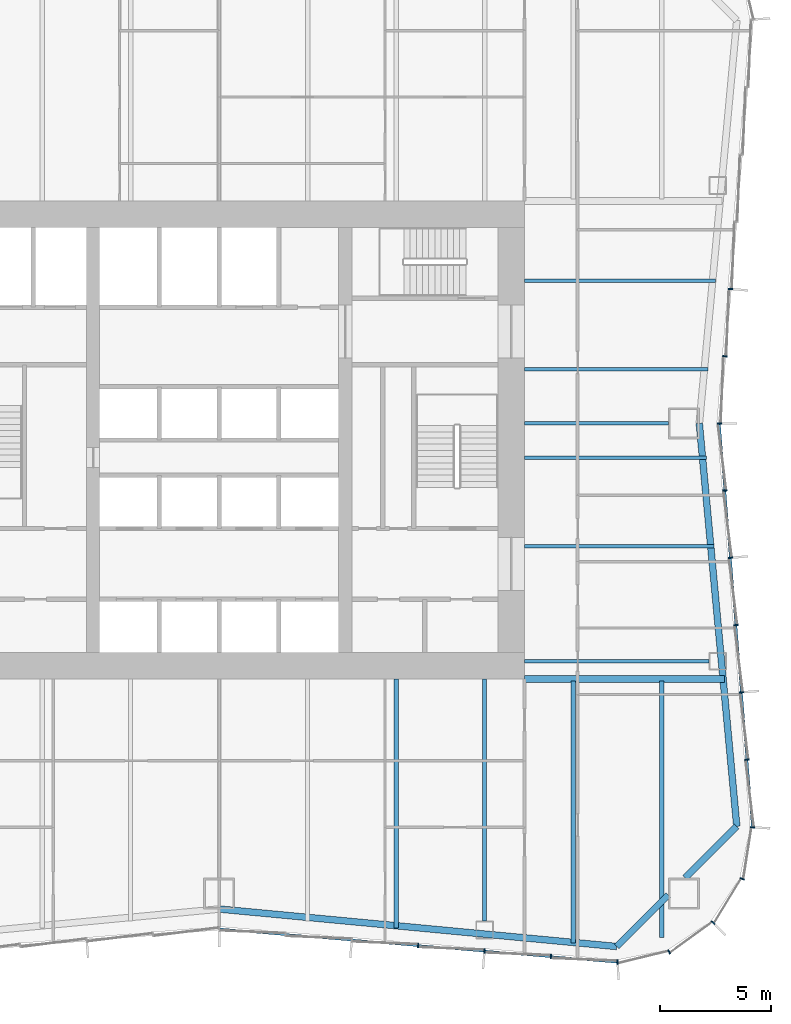
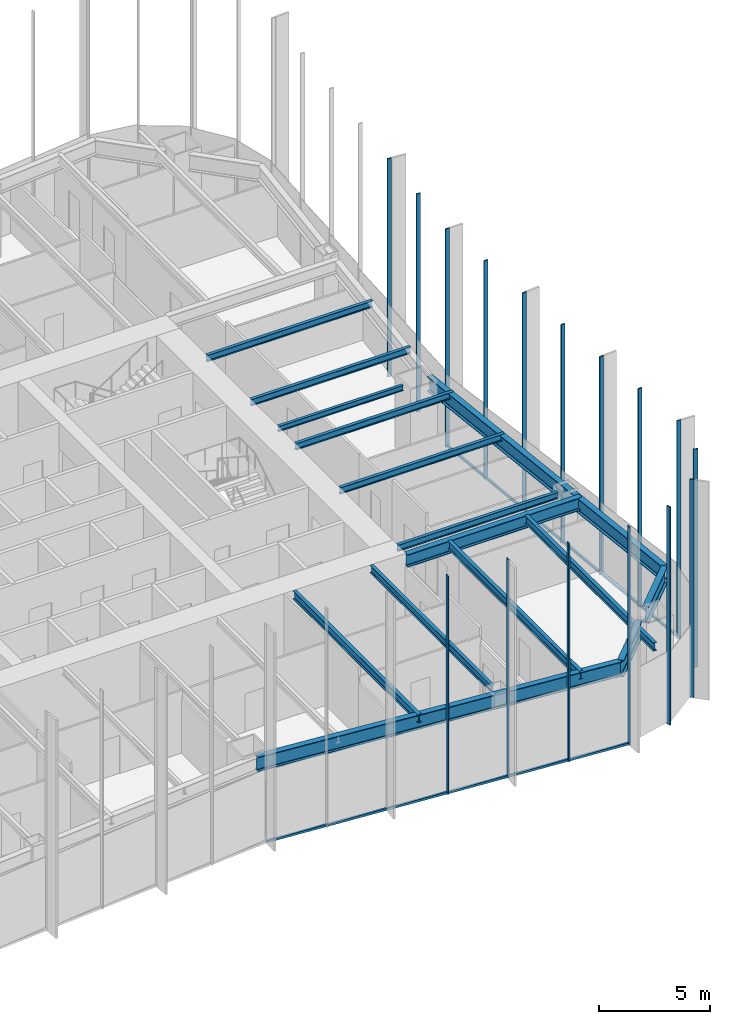
# One storey, part 4 of 13: 18 members, 15 beams, 3 elements without a shape of their own.
"""IFC4 building model written with IfcOpenShell, lengths in metres."""

from ifc_helpers import new_model, si_unit, direction, frame, origin, origin_2d, place, context, subcontext, project, spatial, rectangle, i_section, extrude, material, material_profile, profile_set, type_object, element, aggregate, save


model = new_model("IFC4")

# Units and contexts
model_context = context("Model", 3, precision=1e-05, world=origin(), true_north=direction((0.0, 1.0)))
body_context = subcontext(model_context, "Body", "Model", "MODEL_VIEW")
ifc_project = project(units=[si_unit("LENGTHUNIT", "METRE"), si_unit("AREAUNIT", "SQUARE_METRE"), si_unit("VOLUMEUNIT", "CUBIC_METRE"), si_unit("PLANEANGLEUNIT", "RADIAN"), si_unit("MASSUNIT", "GRAM", prefix="KILO")], contexts=[model_context])

# Site, building, storey
site_placement = place(None, origin())
site = spatial("IfcSite", under=ifc_project, at=site_placement, CompositionType="ELEMENT")
building_placement = place(site_placement, origin())
building = spatial("IfcBuilding", under=site, at=building_placement, Name="Verdant Reach Tower", CompositionType="ELEMENT")
storey_placement = place(building_placement, frame((0.0, 0.0, 70.0)))
storey = spatial("IfcBuildingStorey", under=building, at=storey_placement, Name="L15", CompositionType="ELEMENT", Elevation=70.0)

# Curtain wall, members
ifc_material_1 = material(Name="Anodised aluminium", Category="aluminium")
curtain_wall_type = type_object("IfcCurtainWallType", Name="EN-CW SYSTEM Z1", PredefinedType="NOTDEFINED", material=ifc_material_1)
curtain_wall_1_placement = place(storey_placement, origin())
curtain_wall_1 = element("IfcCurtainWall", 1, at=curtain_wall_1_placement, inside=storey, type_object=curtain_wall_type, Name="Curtain wall south-east corner, L15", PredefinedType="NOTDEFINED")
ifc_material_profile_1 = material_profile(ifc_material_1, rectangle(XDim=0.2060546875, YDim=0.06201171875, at=origin_2d()), Name="Mullion 62x206")
ifc_profile_set_1 = profile_set([ifc_material_profile_1], Name="Anodised aluminium")
member_type_1 = type_object("IfcMemberType", Name="EN-MULLION Z1", PredefinedType="MULLION", material=ifc_profile_set_1)
member_1_placement = place(storey_placement, frame((18.005859375, 4.397216796875, -0.35009765625), z_axis=(0.0, 0.0, 1.0), x_axis=(0.056569187765, -0.998398681387, 0.0)))
member_1 = element("IfcMember", 2, at=member_1_placement, type_object=member_type_1, Name="Mullion south-east corner 1, L15", PredefinedType="MULLION", context=body_context, shape_type="SweptSolid", body=[
    extrude(rectangle(XDim=0.2060546875, YDim=0.06201171875, at=origin_2d()), origin(), (0.0, 0.0, 1.0), 12.0),
])
member_2_placement = place(storey_placement, frame((20.33544921875, 4.861572265625, -0.35009765625), z_axis=(0.0, 0.0, 1.0), x_axis=(0.382693853776, -0.923875215753, 0.0)))
member_2 = element("IfcMember", 3, at=member_2_placement, type_object=member_type_1, Name="Mullion south-east corner 2, L15", PredefinedType="MULLION", context=body_context, shape_type="SweptSolid", body=[
    extrude(rectangle(XDim=0.2060546875, YDim=0.06201171875, at=origin_2d()), origin(), (0.0, 0.0, 1.0), 12.0),
])
member_3_placement = place(storey_placement, frame((22.3154296875, 6.1845703125, -0.35009765625), z_axis=(0.0, 0.0, 1.0), x_axis=(0.707106781187, -0.707106781187, 0.0)))
member_3 = element("IfcMember", 4, at=member_3_placement, type_object=member_type_1, Name="Mullion south-east corner 3, L15", PredefinedType="MULLION", context=body_context, shape_type="SweptSolid", body=[
    extrude(rectangle(XDim=0.2060546875, YDim=0.06201171875, at=origin_2d()), origin(), (0.0, 0.0, 1.0), 12.0),
])
member_4_placement = place(storey_placement, frame((23.638427734375, 8.16455078125, -0.35009765625), z_axis=(0.0, 0.0, 1.0), x_axis=(0.923875215753, -0.382693853776, 0.0)))
member_4 = element("IfcMember", 5, at=member_4_placement, type_object=member_type_1, Name="Mullion south-east corner 4, L15", PredefinedType="MULLION", context=body_context, shape_type="SweptSolid", body=[
    extrude(rectangle(XDim=0.2060546875, YDim=0.06201171875, at=origin_2d()), origin(), (0.0, 0.0, 1.0), 12.0),
])
aggregate(curtain_wall_1, [member_1, member_2, member_3, member_4])

curtain_wall_2_placement = place(storey_placement, origin())
curtain_wall_2 = element("IfcCurtainWall", 6, at=curtain_wall_2_placement, inside=storey, type_object=curtain_wall_type, Name="Curtain wall east, L15", PredefinedType="NOTDEFINED")
member_5_placement = place(storey_placement, frame((24.102783203125, 10.494140625, -0.35009765625), z_axis=(0.0, 0.0, 1.0), x_axis=(0.998366452275, -0.057135164055, 0.0)))
member_5 = element("IfcMember", 7, at=member_5_placement, type_object=member_type_1, Name="Mullion east face part 1 1, L15", PredefinedType="MULLION", context=body_context, shape_type="SweptSolid", body=[
    extrude(rectangle(XDim=0.2060546875, YDim=0.06201171875, at=origin_2d()), origin(), (0.0, 0.0, 1.0), 12.0),
])
member_6_placement = place(storey_placement, frame((23.8525390625, 13.550048828125, -0.35009765625), z_axis=(0.0, 0.0, 1.0), x_axis=(0.996639273542, 0.081915556724, 0.0)))
member_6 = element("IfcMember", 8, at=member_6_placement, type_object=member_type_1, Name="Mullion east face part 1 2, L15", PredefinedType="MULLION", context=body_context, shape_type="SweptSolid", body=[
    extrude(rectangle(XDim=0.2060546875, YDim=0.06201171875, at=origin_2d()), origin(), (0.0, 0.0, 1.0), 12.0),
])
member_7_placement = place(storey_placement, frame((23.6025390625, 16.591796875, -0.35009765625), z_axis=(0.0, 0.0, 1.0), x_axis=(0.996639273542, 0.081915556724, 0.0)))
member_7 = element("IfcMember", 9, at=member_7_placement, type_object=member_type_1, Name="Mullion east face part 1 3, L15", PredefinedType="MULLION", context=body_context, shape_type="SweptSolid", body=[
    extrude(rectangle(XDim=0.2060546875, YDim=0.06201171875, at=origin_2d()), origin(), (0.0, 0.0, 1.0), 12.0),
])
member_8_placement = place(storey_placement, frame((23.3525390625, 19.633544921875, -0.35009765625), z_axis=(0.0, 0.0, 1.0), x_axis=(0.996639273542, 0.081915556724, 0.0)))
member_8 = element("IfcMember", 10, at=member_8_placement, type_object=member_type_1, Name="Mullion east face part 1 4, L15", PredefinedType="MULLION", context=body_context, shape_type="SweptSolid", body=[
    extrude(rectangle(XDim=0.2060546875, YDim=0.06201171875, at=origin_2d()), origin(), (0.0, 0.0, 1.0), 12.0),
])
member_9_placement = place(storey_placement, frame((23.1025390625, 22.675048828125, -0.35009765625), z_axis=(0.0, 0.0, 1.0), x_axis=(0.996639273542, 0.081915556724, 0.0)))
member_9 = element("IfcMember", 11, at=member_9_placement, type_object=member_type_1, Name="Mullion east face part 1 5, L15", PredefinedType="MULLION", context=body_context, shape_type="SweptSolid", body=[
    extrude(rectangle(XDim=0.2060546875, YDim=0.06201171875, at=origin_2d()), origin(), (0.0, 0.0, 1.0), 12.0),
])
member_10_placement = place(storey_placement, frame((22.8525390625, 25.716796875, -0.35009765625), z_axis=(0.0, 0.0, 1.0), x_axis=(0.996639273542, 0.081915556724, 0.0)))
member_10 = element("IfcMember", 12, at=member_10_placement, type_object=member_type_1, Name="Mullion east face part 1 6, L15", PredefinedType="MULLION", context=body_context, shape_type="SweptSolid", body=[
    extrude(rectangle(XDim=0.2060546875, YDim=0.06201171875, at=origin_2d()), origin(), (0.0, 0.0, 1.0), 12.0),
])
member_11_placement = place(storey_placement, frame((22.60302734375, 28.75, -0.35009765625), z_axis=(0.0, 0.0, 1.0), x_axis=(1.0, 0.0, 0.0)))
member_11 = element("IfcMember", 13, at=member_11_placement, type_object=member_type_1, Name="Mullion east face part 2 1, L15", PredefinedType="MULLION", context=body_context, shape_type="SweptSolid", body=[
    extrude(rectangle(XDim=0.2060546875, YDim=0.06201171875, at=origin_2d()), origin(), (0.0, 0.0, 1.0), 12.0),
])
member_12_placement = place(storey_placement, frame((22.8525390625, 31.783203125, -0.35009765625), z_axis=(0.0, 0.0, 1.0), x_axis=(0.996639273542, -0.081915556724, 0.0)))
member_12 = element("IfcMember", 14, at=member_12_placement, type_object=member_type_1, Name="Mullion east face part 2 2, L15", PredefinedType="MULLION", context=body_context, shape_type="SweptSolid", body=[
    extrude(rectangle(XDim=0.2060546875, YDim=0.06201171875, at=origin_2d()), origin(), (0.0, 0.0, 1.0), 12.0),
])
member_13_placement = place(storey_placement, frame((23.1025390625, 34.824951171875, -0.35009765625), z_axis=(0.0, 0.0, 1.0), x_axis=(0.996639273542, -0.081915556724, 0.0)))
member_13 = element("IfcMember", 15, at=member_13_placement, type_object=member_type_1, Name="Mullion east face part 2 3, L15", PredefinedType="MULLION", context=body_context, shape_type="SweptSolid", body=[
    extrude(rectangle(XDim=0.2060546875, YDim=0.06201171875, at=origin_2d()), origin(), (0.0, 0.0, 1.0), 12.0),
])

curtain_wall_3_placement = place(storey_placement, origin())
curtain_wall_3 = element("IfcCurtainWall", 16, at=curtain_wall_3_placement, inside=storey, type_object=curtain_wall_type, Name="Curtain wall south, L15", PredefinedType="NOTDEFINED")
member_14_placement = place(storey_placement, frame((8.991455078125, 5.1474609375, -0.35009765625), z_axis=(0.0, 0.0, 1.0), x_axis=(-0.083045479859, -0.996545758244, 0.0)))
member_14 = element("IfcMember", 17, at=member_14_placement, type_object=member_type_1, Name="Mullion south face part 2 4, L15", PredefinedType="MULLION", context=body_context, shape_type="SweptSolid", body=[
    extrude(rectangle(XDim=0.2060546875, YDim=0.06201171875, at=origin_2d()), origin(), (0.0, 0.0, 1.0), 12.0),
])
member_15_placement = place(storey_placement, frame((11.991455078125, 4.8974609375, -0.35009765625), z_axis=(0.0, 0.0, 1.0), x_axis=(-0.083045479859, -0.996545758244, 0.0)))
member_15 = element("IfcMember", 18, at=member_15_placement, type_object=member_type_1, Name="Mullion south face part 2 5, L15", PredefinedType="MULLION", context=body_context, shape_type="SweptSolid", body=[
    extrude(rectangle(XDim=0.2060546875, YDim=0.06201171875, at=origin_2d()), origin(), (0.0, 0.0, 1.0), 12.0),
])
member_16_placement = place(storey_placement, frame((14.991455078125, 4.6474609375, -0.35009765625), z_axis=(0.0, 0.0, 1.0), x_axis=(-0.083045479859, -0.996545758244, 0.0)))
member_16 = element("IfcMember", 19, at=member_16_placement, type_object=member_type_1, Name="Mullion south face part 2 6, L15", PredefinedType="MULLION", context=body_context, shape_type="SweptSolid", body=[
    extrude(rectangle(XDim=0.2060546875, YDim=0.06201171875, at=origin_2d()), origin(), (0.0, 0.0, 1.0), 12.0),
])

# Member
ifc_material_profile_2 = material_profile(ifc_material_1, rectangle(XDim=0.10009765625, YDim=0.1220703125, at=origin_2d()), Name="Transom 122x100")
ifc_profile_set_2 = profile_set([ifc_material_profile_2], Name="Anodised aluminium")
member_type_2 = type_object("IfcMemberType", Name="EN-TRANSOM Z1", PredefinedType="USERDEFINED", material=ifc_profile_set_2)
member_17_placement = place(storey_placement, frame((24.100341796875, 10.52490234375, -0.2890625), z_axis=(-0.081886623329, 0.996641651207, 0.0), x_axis=(-0.996641651207, -0.081886623329, 0.0)))
member_17 = element("IfcMember", 20, at=member_17_placement, type_object=member_type_2, Name="Transom east face part 1 1.1, L15", ObjectType="TRANSOM", PredefinedType="USERDEFINED", context=body_context, shape_type="SweptSolid", body=[
    extrude(rectangle(XDim=0.10009765625, YDim=0.1220703125, at=origin_2d()), origin(), (0.0, 0.0, 1.0), 18.25537109375),
])

aggregate(curtain_wall_2, [member_5, member_6, member_7, member_8, member_9, member_10, member_17, member_11, member_12, member_13])

member_18_placement = place(storey_placement, frame((0.031005859375, 5.89453125, -0.2890625), z_axis=(0.996547815143, -0.083020793384, 0.0), x_axis=(0.083020793384, 0.996547815143, 0.0)))
member_18 = element("IfcMember", 21, at=member_18_placement, type_object=member_type_2, Name="Transom south face part 2 1.1, L15", ObjectType="TRANSOM", PredefinedType="USERDEFINED", context=body_context, shape_type="SweptSolid", body=[
    extrude(rectangle(XDim=0.10009765625, YDim=0.1220703125, at=origin_2d()), origin(), (0.0, 0.0, 1.0), 18.006103515625),
])

aggregate(curtain_wall_3, [member_14, member_15, member_16, member_18])

# Beams
ifc_material_2 = material(Name="Steel S355", Category="steel")
ifc_material_profile_3 = material_profile(ifc_material_2, i_section(OverallWidth=0.300048828125, OverallDepth=0.699951171875, WebThickness=0.01708984375, FlangeThickness=0.031982421875, FilletRadius=0.027099609375, at=origin_2d()), Name="HEB 700")
ifc_profile_set_3 = profile_set([ifc_material_profile_3], Name="Steel S355")
beam_type_1 = type_object("IfcBeamType", Name="ST-BEAM-HEB700", PredefinedType="BEAM", material=ifc_profile_set_3)
beam_1_placement = place(storey_placement, frame((13.800048828125, 17.199951171875, 3.52001953125), z_axis=(1.0, 0.0, 0.0), x_axis=(0.0, 1.0, 0.0)))
element("IfcBeam", 22, at=beam_1_placement, inside=storey, type_object=beam_type_1, Name="Trimmer beam, L15", PredefinedType="BEAM", context=body_context, shape_type="SweptSolid", body=[
    extrude(i_section(OverallWidth=0.300048828125, OverallDepth=0.699951171875, WebThickness=0.01708984375, FlangeThickness=0.031982421875, FilletRadius=0.027099609375, at=origin_2d()), origin(), (0.0, 0.0, 1.0), 9.04736328125),
])
ifc_material_profile_4 = material_profile(ifc_material_2, i_section(OverallWidth=0.14990234375, OverallDepth=0.300048828125, WebThickness=0.007080078125, FlangeThickness=0.0107421875, FilletRadius=0.014892578125, at=origin_2d()), Name="IPE 300")
ifc_profile_set_4 = profile_set([ifc_material_profile_4], Name="Steel S355")
beam_type_2 = type_object("IfcBeamType", Name="ST-JOIST-IPE300", PredefinedType="JOIST", material=ifc_profile_set_4)
beam_2_placement = place(storey_placement, frame((13.800048828125, 28.75, 3.719970703125), z_axis=(1.0, 0.0, 0.0), x_axis=(0.0, 1.0, 0.0)))
element("IfcBeam", 23, at=beam_2_placement, inside=storey, type_object=beam_type_2, Name="Floor joist, L15", PredefinedType="JOIST", context=body_context, shape_type="SweptSolid", body=[
    extrude(i_section(OverallWidth=0.14990234375, OverallDepth=0.300048828125, WebThickness=0.007080078125, FlangeThickness=0.0107421875, FilletRadius=0.014892578125, at=origin_2d()), origin(), (0.0, 0.0, 1.0), 6.5),
])
ifc_material_profile_5 = material_profile(ifc_material_2, i_section(OverallWidth=0.169921875, OverallDepth=0.360107421875, WebThickness=0.008056640625, FlangeThickness=0.0126953125, FilletRadius=0.01806640625, at=origin_2d()), Name="IPE 360")
ifc_profile_set_5 = profile_set([ifc_material_profile_5], Name="Steel S355")
beam_type_3 = type_object("IfcBeamType", Name="ST-JOIST-IPE360", PredefinedType="JOIST", material=ifc_profile_set_5)
beam_3_placement = place(storey_placement, frame((13.800048828125, 18.0, 3.68994140625), z_axis=(1.0, 0.0, 0.0), x_axis=(0.0, 1.0, 0.0)))
element("IfcBeam", 24, at=beam_3_placement, inside=storey, type_object=beam_type_3, Name="Floor joist, L15", PredefinedType="JOIST", context=body_context, shape_type="SweptSolid", body=[
    extrude(i_section(OverallWidth=0.169921875, OverallDepth=0.360107421875, WebThickness=0.008056640625, FlangeThickness=0.0126953125, FilletRadius=0.01806640625, at=origin_2d()), origin(), (0.0, 0.0, 1.0), 8.33349609375),
])
beam_4_placement = place(storey_placement, frame((13.800048828125, 23.199951171875, 3.68994140625), z_axis=(1.0, 0.0, 0.0), x_axis=(0.0, 1.0, 0.0)))
element("IfcBeam", 25, at=beam_4_placement, inside=storey, type_object=beam_type_3, Name="Floor joist, L15", PredefinedType="JOIST", context=body_context, shape_type="SweptSolid", body=[
    extrude(i_section(OverallWidth=0.169921875, OverallDepth=0.360107421875, WebThickness=0.008056640625, FlangeThickness=0.0126953125, FilletRadius=0.01806640625, at=origin_2d()), origin(), (0.0, 0.0, 1.0), 8.553955078125),
])
beam_5_placement = place(storey_placement, frame((13.800048828125, 27.199951171875, 3.68994140625), z_axis=(1.0, 0.0, 0.0), x_axis=(0.0, 1.0, 0.0)))
element("IfcBeam", 26, at=beam_5_placement, inside=storey, type_object=beam_type_3, Name="Floor joist, L15", PredefinedType="JOIST", context=body_context, shape_type="SweptSolid", body=[
    extrude(i_section(OverallWidth=0.169921875, OverallDepth=0.360107421875, WebThickness=0.008056640625, FlangeThickness=0.0126953125, FilletRadius=0.01806640625, at=origin_2d()), origin(), (0.0, 0.0, 1.0), 8.225341796875),
])
beam_6_placement = place(storey_placement, frame((13.800048828125, 31.199951171875, 3.68994140625), z_axis=(1.0, 0.0, 0.0), x_axis=(0.0, 1.0, 0.0)))
element("IfcBeam", 27, at=beam_6_placement, inside=storey, type_object=beam_type_3, Name="Floor joist, L15", PredefinedType="JOIST", context=body_context, shape_type="SweptSolid", body=[
    extrude(i_section(OverallWidth=0.169921875, OverallDepth=0.360107421875, WebThickness=0.008056640625, FlangeThickness=0.0126953125, FilletRadius=0.01806640625, at=origin_2d()), origin(), (0.0, 0.0, 1.0), 8.29931640625),
])
beam_7_placement = place(storey_placement, frame((13.800048828125, 35.199951171875, 3.68994140625), z_axis=(1.0, 0.0, 0.0), x_axis=(0.0, 1.0, 0.0)))
element("IfcBeam", 28, at=beam_7_placement, inside=storey, type_object=beam_type_3, Name="Floor joist, L15", PredefinedType="JOIST", context=body_context, shape_type="SweptSolid", body=[
    extrude(i_section(OverallWidth=0.169921875, OverallDepth=0.360107421875, WebThickness=0.008056640625, FlangeThickness=0.0126953125, FilletRadius=0.01806640625, at=origin_2d()), origin(), (0.0, 0.0, 1.0), 8.6279296875),
])
ifc_material_profile_6 = material_profile(ifc_material_2, i_section(OverallWidth=0.179931640625, OverallDepth=0.39990234375, WebThickness=0.008544921875, FlangeThickness=0.013427734375, FilletRadius=0.02099609375, at=origin_2d()), Name="IPE 400")
ifc_profile_set_6 = profile_set([ifc_material_profile_6], Name="Steel S355")
beam_type_4 = type_object("IfcBeamType", Name="ST-JOIST-IPE400", PredefinedType="JOIST", material=ifc_profile_set_6)
beam_8_placement = place(storey_placement, frame((12.0, 17.199951171875, 3.669921875), z_axis=(0.0, -1.0, 0.0), x_axis=(1.0, 0.0, 0.0)))
element("IfcBeam", 29, at=beam_8_placement, inside=storey, type_object=beam_type_4, Name="Floor joist, L15", PredefinedType="JOIST", context=body_context, shape_type="SweptSolid", body=[
    extrude(i_section(OverallWidth=0.179931640625, OverallDepth=0.39990234375, WebThickness=0.008544921875, FlangeThickness=0.013427734375, FilletRadius=0.02099609375, at=origin_2d()), origin(), (0.0, 0.0, 1.0), 10.949951171875),
])
ifc_material_profile_7 = material_profile(ifc_material_2, i_section(OverallWidth=0.18994140625, OverallDepth=0.449951171875, WebThickness=0.009521484375, FlangeThickness=0.0146484375, FilletRadius=0.02099609375, at=origin_2d()), Name="IPE 450")
ifc_profile_set_7 = profile_set([ifc_material_profile_7], Name="Steel S355")
beam_type_5 = type_object("IfcBeamType", Name="ST-JOIST-IPE450", PredefinedType="JOIST", material=ifc_profile_set_7)
beam_9_placement = place(storey_placement, frame((8.0, 17.199951171875, 3.64501953125), z_axis=(0.0, -1.0, 0.0), x_axis=(1.0, 0.0, 0.0)))
element("IfcBeam", 30, at=beam_9_placement, inside=storey, type_object=beam_type_5, Name="Floor joist, L15", PredefinedType="JOIST", context=body_context, shape_type="SweptSolid", body=[
    extrude(i_section(OverallWidth=0.18994140625, OverallDepth=0.449951171875, WebThickness=0.009521484375, FlangeThickness=0.0146484375, FilletRadius=0.02099609375, at=origin_2d()), origin(), (0.0, 0.0, 1.0), 11.2646484375),
])
beam_10_placement = place(storey_placement, frame((16.0, 17.10009765625, 3.64501953125), z_axis=(0.0, -1.0, 0.0), x_axis=(1.0, 0.0, 0.0)))
element("IfcBeam", 31, at=beam_10_placement, inside=storey, type_object=beam_type_5, Name="Floor joist, L15", PredefinedType="JOIST", context=body_context, shape_type="SweptSolid", body=[
    extrude(i_section(OverallWidth=0.18994140625, OverallDepth=0.449951171875, WebThickness=0.009521484375, FlangeThickness=0.0146484375, FilletRadius=0.02099609375, at=origin_2d()), origin(), (0.0, 0.0, 1.0), 11.831298828125),
])
beam_11_placement = place(storey_placement, frame((20.0, 17.10009765625, 3.64501953125), z_axis=(0.0, -1.0, 0.0), x_axis=(1.0, 0.0, 0.0)))
element("IfcBeam", 32, at=beam_11_placement, inside=storey, type_object=beam_type_5, Name="Floor joist, L15", PredefinedType="JOIST", context=body_context, shape_type="SweptSolid", body=[
    extrude(i_section(OverallWidth=0.18994140625, OverallDepth=0.449951171875, WebThickness=0.009521484375, FlangeThickness=0.0146484375, FilletRadius=0.02099609375, at=origin_2d()), origin(), (0.0, 0.0, 1.0), 11.590576171875),
])
ifc_material_profile_8 = material_profile(ifc_material_2, i_section(OverallWidth=0.300048828125, OverallDepth=0.800048828125, WebThickness=0.017578125, FlangeThickness=0.032958984375, FilletRadius=0.030029296875, at=origin_2d()), Name="HEB 800")
ifc_profile_set_8 = profile_set([ifc_material_profile_8], Name="Steel S355")
beam_type_6 = type_object("IfcBeamType", Name="ST-SPANDREL-HEB800", PredefinedType="SPANDREL", material=ifc_profile_set_8)
beam_12_placement = place(storey_placement, frame((17.9658203125, 5.10498046875, 3.469970703125), z_axis=(-0.995578571765, 0.093932462137, 0.0), x_axis=(-0.093932462137, -0.995578571765, 0.0)))
element("IfcBeam", 33, at=beam_12_placement, inside=storey, type_object=beam_type_6, Name="Edge beam, L15", PredefinedType="SPANDREL", context=body_context, shape_type="SweptSolid", body=[
    extrude(i_section(OverallWidth=0.300048828125, OverallDepth=0.800048828125, WebThickness=0.017578125, FlangeThickness=0.032958984375, FilletRadius=0.030029296875, at=origin_2d()), origin(), (0.0, 0.0, 1.0), 18.045654296875),
])
beam_13_placement = place(storey_placement, frame((21.699951171875, 28.75, 3.469970703125), z_axis=(0.092656907618, -0.995698095544, 0.0), x_axis=(0.995698095544, 0.092656907618, 0.0)))
element("IfcBeam", 34, at=beam_13_placement, inside=storey, type_object=beam_type_6, Name="Edge beam, L15", PredefinedType="SPANDREL", context=body_context, shape_type="SweptSolid", body=[
    extrude(i_section(OverallWidth=0.300048828125, OverallDepth=0.800048828125, WebThickness=0.017578125, FlangeThickness=0.032958984375, FilletRadius=0.030029296875, at=origin_2d()), origin(), (0.0, 0.0, 1.0), 18.2939453125),
])
ifc_material_profile_9 = material_profile(ifc_material_2, i_section(OverallWidth=0.302001953125, OverallDepth=0.909912109375, WebThickness=0.02099609375, FlangeThickness=0.0400390625, FilletRadius=0.030029296875, at=origin_2d()), Name="HEM 900")
ifc_profile_set_9 = profile_set([ifc_material_profile_9], Name="Steel S355")
beam_type_7 = type_object("IfcBeamType", Name="ST-SPANDREL-HEM900", PredefinedType="SPANDREL", material=ifc_profile_set_9)
beam_14_placement = place(storey_placement, frame((23.39501953125, 10.53466796875, 3.4150390625), z_axis=(-0.707069807316, -0.707143753123, 0.0), x_axis=(0.707143753123, -0.707069807316, 0.0)))
element("IfcBeam", 35, at=beam_14_placement, inside=storey, type_object=beam_type_7, Name="Edge beam, L15", PredefinedType="SPANDREL", context=body_context, shape_type="SweptSolid", body=[
    extrude(i_section(OverallWidth=0.302001953125, OverallDepth=0.909912109375, WebThickness=0.02099609375, FlangeThickness=0.0400390625, FilletRadius=0.030029296875, at=origin_2d()), origin(), (0.0, 0.0, 1.0), 3.301513671875),
])
beam_15_placement = place(storey_placement, frame((20.300048828125, 7.439208984375, 3.4150390625), z_axis=(-0.707106781187, -0.707106781187, 0.0), x_axis=(0.707106781187, -0.707106781187, 0.0)))
element("IfcBeam", 36, at=beam_15_placement, inside=storey, type_object=beam_type_7, Name="Edge beam, L15", PredefinedType="SPANDREL", context=body_context, shape_type="SweptSolid", body=[
    extrude(i_section(OverallWidth=0.302001953125, OverallDepth=0.909912109375, WebThickness=0.02099609375, FlangeThickness=0.0400390625, FilletRadius=0.030029296875, at=origin_2d()), origin(), (0.0, 0.0, 1.0), 3.301025390625),
])

save(model, "model.ifc")
